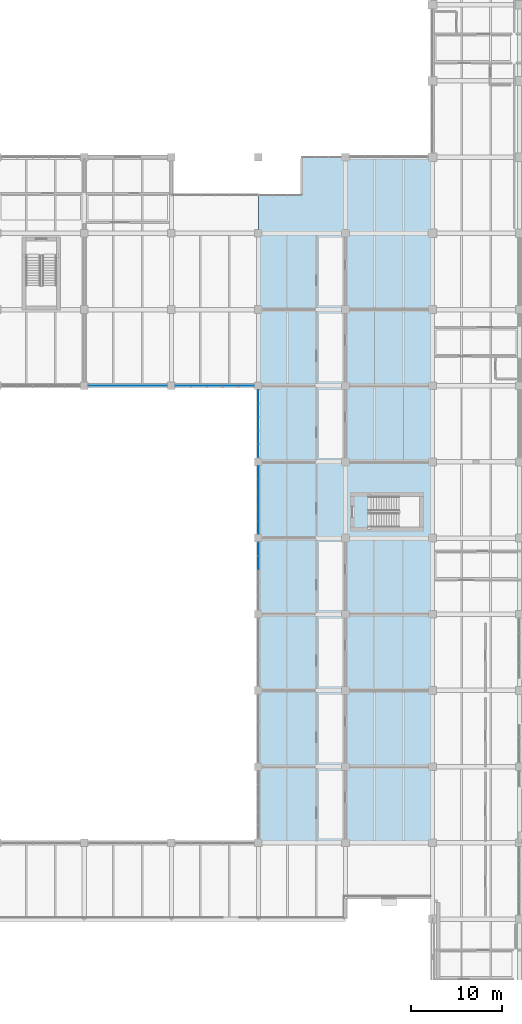
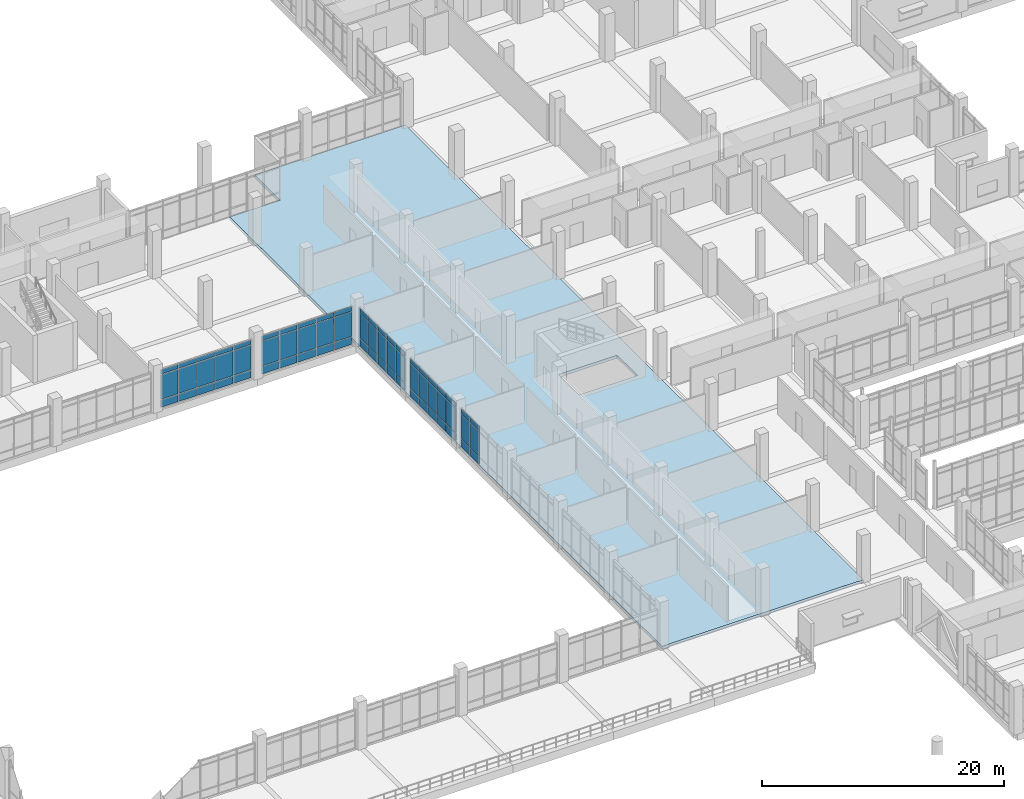
# One storey, part 93 of 152: 66 plates, 1 slab, 5 elements without a shape of their own.
"""IFC4 building model written with IfcOpenShell, lengths in metres."""

from ifc_helpers import new_model, si_unit, direction, frame, origin, origin_2d, place, context, subcontext, project, spatial, polyline, rectangle, outline, extrude, material, layer, layer_set, type_object, element, aggregate, save


model = new_model("IFC4")

# Units and contexts
model_context = context("Model", 3, precision=1e-05, world=origin(), true_north=direction((0.0, 1.0)))
body_context = subcontext(model_context, "Body", "Model", "MODEL_VIEW")
ifc_project = project(units=[si_unit("LENGTHUNIT", "METRE"), si_unit("AREAUNIT", "SQUARE_METRE"), si_unit("VOLUMEUNIT", "CUBIC_METRE"), si_unit("PLANEANGLEUNIT", "RADIAN"), si_unit("MASSUNIT", "GRAM", prefix="KILO")], contexts=[model_context])

# Site, building, storey
site_placement = place(None, origin())
site = spatial("IfcSite", under=ifc_project, at=site_placement, CompositionType="ELEMENT")
building_placement = place(site_placement, origin())
building = spatial("IfcBuilding", under=site, at=building_placement, Name="Oolite Switchyard Hospital", CompositionType="ELEMENT")
storey_placement = place(building_placement, frame((0.0, 0.0, 5.10009765625)))
storey = spatial("IfcBuildingStorey", under=building, at=storey_placement, Name="L01", CompositionType="ELEMENT", Elevation=5.10009765625)

# Curtain wall, plates
ifc_material_1 = material(Name="Thermally broken aluminum frame with laminated impact glazing", Category="aluminium")
curtain_wall_type_1 = type_object("IfcCurtainWallType", Name="CW-UNIT-84X48", PredefinedType="USERDEFINED", material=ifc_material_1)
curtain_wall_1_placement = place(storey_placement, origin())
curtain_wall_1 = element("IfcCurtainWall", 1, at=curtain_wall_1_placement, inside=storey, type_object=curtain_wall_type_1, Name="L01 Unitised Curtain Wall 185", ObjectType="UNITISED", PredefinedType="USERDEFINED")
ifc_material_2 = material(Name="Insulated fluoropolymer-coated aluminum spandrel panel", Category="aluminium")
ifc_layer_1 = layer(ifc_material_2, 0.070068359375)
ifc_layer_set_1 = layer_set([ifc_layer_1], Name="CW-PNL-SPN70")
plate_type_1 = type_object("IfcPlateType", Name="CW-PNL-SPN70", PredefinedType="CURTAIN_PANEL", material=ifc_layer_set_1)
plate_1_placement = place(storey_placement, frame((115.199951171875, 68.406982421875, 0.07470703125), z_axis=(0.0, 0.0, 1.0), x_axis=(0.0, 1.0, 0.0)))
plate_1 = element("IfcPlate", 2, at=plate_1_placement, type_object=plate_type_1, Name="CW-07 panel 1.1", PredefinedType="CURTAIN_PANEL", context=body_context, shape_type="SweptSolid", body=[
    extrude(rectangle(XDim=1.4140625, YDim=0.070068359375, at=origin_2d()), origin(), (0.0, 0.0, 1.0), 0.737548828125),
])
plate_2_placement = place(storey_placement, frame((115.199951171875, 68.406982421875, 0.88720703125), z_axis=(0.0, 0.0, 1.0), x_axis=(0.0, 1.0, 0.0)))
plate_2 = element("IfcPlate", 3, at=plate_2_placement, type_object=plate_type_1, Name="CW-07 panel 1.2", PredefinedType="CURTAIN_PANEL", context=body_context, shape_type="SweptSolid", body=[
    extrude(rectangle(XDim=1.4140625, YDim=0.070068359375, at=origin_2d()), origin(), (0.0, 0.0, 1.0), 2.465087890625),
])
plate_3_placement = place(storey_placement, frame((115.199951171875, 68.406982421875, 3.427490234375), z_axis=(0.0, 0.0, 1.0), x_axis=(0.0, 1.0, 0.0)))
plate_3 = element("IfcPlate", 4, at=plate_3_placement, type_object=plate_type_1, Name="CW-07 panel 1.3", PredefinedType="CURTAIN_PANEL", context=body_context, shape_type="SweptSolid", body=[
    extrude(rectangle(XDim=1.4140625, YDim=0.070068359375, at=origin_2d()), origin(), (0.0, 0.0, 1.0), 0.4375),
])
plate_4_placement = place(storey_placement, frame((115.199951171875, 69.89599609375, 0.07470703125), z_axis=(0.0, 0.0, 1.0), x_axis=(0.0, 1.0, 0.0)))
plate_4 = element("IfcPlate", 5, at=plate_4_placement, type_object=plate_type_1, Name="CW-07 panel 2.1", PredefinedType="CURTAIN_PANEL", context=body_context, shape_type="SweptSolid", body=[
    extrude(rectangle(XDim=1.444091796875, YDim=0.070068359375, at=origin_2d()), origin(), (0.0, 0.0, 1.0), 0.737548828125),
])
plate_5_placement = place(storey_placement, frame((115.199951171875, 69.89599609375, 0.88720703125), z_axis=(0.0, 0.0, 1.0), x_axis=(0.0, 1.0, 0.0)))
plate_5 = element("IfcPlate", 6, at=plate_5_placement, type_object=plate_type_1, Name="CW-07 panel 2.2", PredefinedType="CURTAIN_PANEL", context=body_context, shape_type="SweptSolid", body=[
    extrude(rectangle(XDim=1.444091796875, YDim=0.070068359375, at=origin_2d()), origin(), (0.0, 0.0, 1.0), 2.465087890625),
])
plate_6_placement = place(storey_placement, frame((115.199951171875, 69.89599609375, 3.427490234375), z_axis=(0.0, 0.0, 1.0), x_axis=(0.0, 1.0, 0.0)))
plate_6 = element("IfcPlate", 7, at=plate_6_placement, type_object=plate_type_1, Name="CW-07 panel 2.3", PredefinedType="CURTAIN_PANEL", context=body_context, shape_type="SweptSolid", body=[
    extrude(rectangle(XDim=1.444091796875, YDim=0.070068359375, at=origin_2d()), origin(), (0.0, 0.0, 1.0), 0.4375),
])
plate_7_placement = place(storey_placement, frame((115.199951171875, 71.39990234375, 0.07470703125), z_axis=(0.0, 0.0, 1.0), x_axis=(0.0, 1.0, 0.0)))
plate_7 = element("IfcPlate", 8, at=plate_7_placement, type_object=plate_type_1, Name="CW-07 panel 3.1", PredefinedType="CURTAIN_PANEL", context=body_context, shape_type="SweptSolid", body=[
    extrude(rectangle(XDim=1.444091796875, YDim=0.070068359375, at=origin_2d()), origin(), (0.0, 0.0, 1.0), 0.737548828125),
])
plate_8_placement = place(storey_placement, frame((115.199951171875, 71.39990234375, 0.88720703125), z_axis=(0.0, 0.0, 1.0), x_axis=(0.0, 1.0, 0.0)))
plate_8 = element("IfcPlate", 9, at=plate_8_placement, type_object=plate_type_1, Name="CW-07 panel 3.2", PredefinedType="CURTAIN_PANEL", context=body_context, shape_type="SweptSolid", body=[
    extrude(rectangle(XDim=1.444091796875, YDim=0.070068359375, at=origin_2d()), origin(), (0.0, 0.0, 1.0), 2.465087890625),
])
plate_9_placement = place(storey_placement, frame((115.199951171875, 71.39990234375, 3.427490234375), z_axis=(0.0, 0.0, 1.0), x_axis=(0.0, 1.0, 0.0)))
plate_9 = element("IfcPlate", 10, at=plate_9_placement, type_object=plate_type_1, Name="CW-07 panel 3.3", PredefinedType="CURTAIN_PANEL", context=body_context, shape_type="SweptSolid", body=[
    extrude(rectangle(XDim=1.444091796875, YDim=0.070068359375, at=origin_2d()), origin(), (0.0, 0.0, 1.0), 0.4375),
])
plate_10_placement = place(storey_placement, frame((115.199951171875, 72.904052734375, 0.07470703125), z_axis=(0.0, 0.0, 1.0), x_axis=(0.0, 1.0, 0.0)))
plate_10 = element("IfcPlate", 11, at=plate_10_placement, type_object=plate_type_1, Name="CW-07 panel 4.1", PredefinedType="CURTAIN_PANEL", context=body_context, shape_type="SweptSolid", body=[
    extrude(rectangle(XDim=1.444091796875, YDim=0.070068359375, at=origin_2d()), origin(), (0.0, 0.0, 1.0), 0.737548828125),
])
plate_11_placement = place(storey_placement, frame((115.199951171875, 72.904052734375, 0.88720703125), z_axis=(0.0, 0.0, 1.0), x_axis=(0.0, 1.0, 0.0)))
plate_11 = element("IfcPlate", 12, at=plate_11_placement, type_object=plate_type_1, Name="CW-07 panel 4.2", PredefinedType="CURTAIN_PANEL", context=body_context, shape_type="SweptSolid", body=[
    extrude(rectangle(XDim=1.444091796875, YDim=0.070068359375, at=origin_2d()), origin(), (0.0, 0.0, 1.0), 2.465087890625),
])
plate_12_placement = place(storey_placement, frame((115.199951171875, 72.904052734375, 3.427490234375), z_axis=(0.0, 0.0, 1.0), x_axis=(0.0, 1.0, 0.0)))
plate_12 = element("IfcPlate", 13, at=plate_12_placement, type_object=plate_type_1, Name="CW-07 panel 4.3", PredefinedType="CURTAIN_PANEL", context=body_context, shape_type="SweptSolid", body=[
    extrude(rectangle(XDim=1.444091796875, YDim=0.070068359375, at=origin_2d()), origin(), (0.0, 0.0, 1.0), 0.4375),
])
plate_13_placement = place(storey_placement, frame((115.199951171875, 74.39306640625, 0.07470703125), z_axis=(0.0, 0.0, 1.0), x_axis=(0.0, 1.0, 0.0)))
plate_13 = element("IfcPlate", 14, at=plate_13_placement, type_object=plate_type_1, Name="CW-07 panel 5.1", PredefinedType="CURTAIN_PANEL", context=body_context, shape_type="SweptSolid", body=[
    extrude(rectangle(XDim=1.4140625, YDim=0.070068359375, at=origin_2d()), origin(), (0.0, 0.0, 1.0), 0.737548828125),
])
plate_14_placement = place(storey_placement, frame((115.199951171875, 74.39306640625, 0.88720703125), z_axis=(0.0, 0.0, 1.0), x_axis=(0.0, 1.0, 0.0)))
plate_14 = element("IfcPlate", 15, at=plate_14_placement, type_object=plate_type_1, Name="CW-07 panel 5.2", PredefinedType="CURTAIN_PANEL", context=body_context, shape_type="SweptSolid", body=[
    extrude(rectangle(XDim=1.4140625, YDim=0.070068359375, at=origin_2d()), origin(), (0.0, 0.0, 1.0), 2.465087890625),
])
plate_15_placement = place(storey_placement, frame((115.199951171875, 74.39306640625, 3.427490234375), z_axis=(0.0, 0.0, 1.0), x_axis=(0.0, 1.0, 0.0)))
plate_15 = element("IfcPlate", 16, at=plate_15_placement, type_object=plate_type_1, Name="CW-07 panel 5.3", PredefinedType="CURTAIN_PANEL", context=body_context, shape_type="SweptSolid", body=[
    extrude(rectangle(XDim=1.4140625, YDim=0.070068359375, at=origin_2d()), origin(), (0.0, 0.0, 1.0), 0.4375),
])
aggregate(curtain_wall_1, [plate_1, plate_2, plate_3, plate_4, plate_5, plate_6, plate_7, plate_8, plate_9, plate_10, plate_11, plate_12, plate_13, plate_14, plate_15])

curtain_wall_2_placement = place(storey_placement, origin())
curtain_wall_2 = element("IfcCurtainWall", 17, at=curtain_wall_2_placement, inside=storey, type_object=curtain_wall_type_1, Name="L01 Unitised Curtain Wall 186", ObjectType="UNITISED", PredefinedType="USERDEFINED")
ifc_material_3 = material(Name="Laminated hurricane-impact insulated glazing unit", Category="glass")
ifc_layer_2 = layer(ifc_material_3, 0.028076171875)
ifc_layer_set_2 = layer_set([ifc_layer_2], Name="CW-PNL-VIS28")
plate_type_2 = type_object("IfcPlateType", Name="CW-PNL-VIS28", PredefinedType="CURTAIN_PANEL", material=ifc_layer_set_2)
plate_16_placement = place(storey_placement, frame((115.199951171875, 76.8095703125, 0.06005859375), z_axis=(0.0, 0.0, 1.0), x_axis=(0.0, 1.0, 0.0)))
plate_16 = element("IfcPlate", 18, at=plate_16_placement, type_object=plate_type_2, Name="CW-07 panel 1.1", PredefinedType="CURTAIN_PANEL", context=body_context, shape_type="SweptSolid", body=[
    extrude(rectangle(XDim=1.39892578125, YDim=0.028076171875, at=origin_2d()), origin(), (0.0, 0.0, 1.0), 0.760009765625),
])
plate_17_placement = place(storey_placement, frame((115.199951171875, 76.8095703125, 0.8798828125), z_axis=(0.0, 0.0, 1.0), x_axis=(0.0, 1.0, 0.0)))
plate_17 = element("IfcPlate", 19, at=plate_17_placement, type_object=plate_type_2, Name="CW-07 panel 1.2", PredefinedType="CURTAIN_PANEL", context=body_context, shape_type="SweptSolid", body=[
    extrude(rectangle(XDim=1.39892578125, YDim=0.028076171875, at=origin_2d()), origin(), (0.0, 0.0, 1.0), 2.47998046875),
])
plate_18_placement = place(storey_placement, frame((115.199951171875, 76.8095703125, 3.419921875), z_axis=(0.0, 0.0, 1.0), x_axis=(0.0, 1.0, 0.0)))
plate_18 = element("IfcPlate", 20, at=plate_18_placement, type_object=plate_type_2, Name="CW-07 panel 1.3", PredefinedType="CURTAIN_PANEL", context=body_context, shape_type="SweptSolid", body=[
    extrude(rectangle(XDim=1.39892578125, YDim=0.028076171875, at=origin_2d()), origin(), (0.0, 0.0, 1.0), 0.4599609375),
])
plate_19_placement = place(storey_placement, frame((115.199951171875, 78.2958984375, 0.06005859375), z_axis=(0.0, 0.0, 1.0), x_axis=(0.0, 1.0, 0.0)))
plate_19 = element("IfcPlate", 21, at=plate_19_placement, type_object=plate_type_2, Name="CW-07 panel 2.1", PredefinedType="CURTAIN_PANEL", context=body_context, shape_type="SweptSolid", body=[
    extrude(rectangle(XDim=1.43408203125, YDim=0.028076171875, at=origin_2d()), origin(), (0.0, 0.0, 1.0), 0.760009765625),
])
plate_20_placement = place(storey_placement, frame((115.199951171875, 78.2958984375, 0.8798828125), z_axis=(0.0, 0.0, 1.0), x_axis=(0.0, 1.0, 0.0)))
plate_20 = element("IfcPlate", 22, at=plate_20_placement, type_object=plate_type_2, Name="CW-07 panel 2.2", PredefinedType="CURTAIN_PANEL", context=body_context, shape_type="SweptSolid", body=[
    extrude(rectangle(XDim=1.43408203125, YDim=0.028076171875, at=origin_2d()), origin(), (0.0, 0.0, 1.0), 2.47998046875),
])
plate_21_placement = place(storey_placement, frame((115.199951171875, 78.2958984375, 3.419921875), z_axis=(0.0, 0.0, 1.0), x_axis=(0.0, 1.0, 0.0)))
plate_21 = element("IfcPlate", 23, at=plate_21_placement, type_object=plate_type_2, Name="CW-07 panel 2.3", PredefinedType="CURTAIN_PANEL", context=body_context, shape_type="SweptSolid", body=[
    extrude(rectangle(XDim=1.43408203125, YDim=0.028076171875, at=origin_2d()), origin(), (0.0, 0.0, 1.0), 0.4599609375),
])
plate_22_placement = place(storey_placement, frame((115.199951171875, 79.800048828125, 0.06005859375), z_axis=(0.0, 0.0, 1.0), x_axis=(0.0, 1.0, 0.0)))
plate_22 = element("IfcPlate", 24, at=plate_22_placement, type_object=plate_type_2, Name="CW-07 panel 3.1", PredefinedType="CURTAIN_PANEL", context=body_context, shape_type="SweptSolid", body=[
    extrude(rectangle(XDim=1.43408203125, YDim=0.028076171875, at=origin_2d()), origin(), (0.0, 0.0, 1.0), 0.760009765625),
])
plate_23_placement = place(storey_placement, frame((115.199951171875, 79.800048828125, 0.8798828125), z_axis=(0.0, 0.0, 1.0), x_axis=(0.0, 1.0, 0.0)))
plate_23 = element("IfcPlate", 25, at=plate_23_placement, type_object=plate_type_2, Name="CW-07 panel 3.2", PredefinedType="CURTAIN_PANEL", context=body_context, shape_type="SweptSolid", body=[
    extrude(rectangle(XDim=1.43408203125, YDim=0.028076171875, at=origin_2d()), origin(), (0.0, 0.0, 1.0), 2.47998046875),
])
plate_24_placement = place(storey_placement, frame((115.199951171875, 79.800048828125, 3.419921875), z_axis=(0.0, 0.0, 1.0), x_axis=(0.0, 1.0, 0.0)))
plate_24 = element("IfcPlate", 26, at=plate_24_placement, type_object=plate_type_2, Name="CW-07 panel 3.3", PredefinedType="CURTAIN_PANEL", context=body_context, shape_type="SweptSolid", body=[
    extrude(rectangle(XDim=1.43408203125, YDim=0.028076171875, at=origin_2d()), origin(), (0.0, 0.0, 1.0), 0.4599609375),
])
plate_25_placement = place(storey_placement, frame((115.199951171875, 81.303955078125, 0.06005859375), z_axis=(0.0, 0.0, 1.0), x_axis=(0.0, 1.0, 0.0)))
plate_25 = element("IfcPlate", 27, at=plate_25_placement, type_object=plate_type_2, Name="CW-07 panel 4.1", PredefinedType="CURTAIN_PANEL", context=body_context, shape_type="SweptSolid", body=[
    extrude(rectangle(XDim=1.43408203125, YDim=0.028076171875, at=origin_2d()), origin(), (0.0, 0.0, 1.0), 0.760009765625),
])
plate_26_placement = place(storey_placement, frame((115.199951171875, 81.303955078125, 0.8798828125), z_axis=(0.0, 0.0, 1.0), x_axis=(0.0, 1.0, 0.0)))
plate_26 = element("IfcPlate", 28, at=plate_26_placement, type_object=plate_type_2, Name="CW-07 panel 4.2", PredefinedType="CURTAIN_PANEL", context=body_context, shape_type="SweptSolid", body=[
    extrude(rectangle(XDim=1.43408203125, YDim=0.028076171875, at=origin_2d()), origin(), (0.0, 0.0, 1.0), 2.47998046875),
])
plate_27_placement = place(storey_placement, frame((115.199951171875, 81.303955078125, 3.419921875), z_axis=(0.0, 0.0, 1.0), x_axis=(0.0, 1.0, 0.0)))
plate_27 = element("IfcPlate", 29, at=plate_27_placement, type_object=plate_type_2, Name="CW-07 panel 4.3", PredefinedType="CURTAIN_PANEL", context=body_context, shape_type="SweptSolid", body=[
    extrude(rectangle(XDim=1.43408203125, YDim=0.028076171875, at=origin_2d()), origin(), (0.0, 0.0, 1.0), 0.4599609375),
])
plate_28_placement = place(storey_placement, frame((115.199951171875, 82.79052734375, 0.06005859375), z_axis=(0.0, 0.0, 1.0), x_axis=(0.0, 1.0, 0.0)))
plate_28 = element("IfcPlate", 30, at=plate_28_placement, type_object=plate_type_2, Name="CW-07 panel 5.1", PredefinedType="CURTAIN_PANEL", context=body_context, shape_type="SweptSolid", body=[
    extrude(rectangle(XDim=1.39892578125, YDim=0.028076171875, at=origin_2d()), origin(), (0.0, 0.0, 1.0), 0.760009765625),
])
plate_29_placement = place(storey_placement, frame((115.199951171875, 82.79052734375, 0.8798828125), z_axis=(0.0, 0.0, 1.0), x_axis=(0.0, 1.0, 0.0)))
plate_29 = element("IfcPlate", 31, at=plate_29_placement, type_object=plate_type_2, Name="CW-07 panel 5.2", PredefinedType="CURTAIN_PANEL", context=body_context, shape_type="SweptSolid", body=[
    extrude(rectangle(XDim=1.39892578125, YDim=0.028076171875, at=origin_2d()), origin(), (0.0, 0.0, 1.0), 2.47998046875),
])
plate_30_placement = place(storey_placement, frame((115.199951171875, 82.79052734375, 3.419921875), z_axis=(0.0, 0.0, 1.0), x_axis=(0.0, 1.0, 0.0)))
plate_30 = element("IfcPlate", 32, at=plate_30_placement, type_object=plate_type_2, Name="CW-07 panel 5.3", PredefinedType="CURTAIN_PANEL", context=body_context, shape_type="SweptSolid", body=[
    extrude(rectangle(XDim=1.39892578125, YDim=0.028076171875, at=origin_2d()), origin(), (0.0, 0.0, 1.0), 0.4599609375),
])
aggregate(curtain_wall_2, [plate_16, plate_17, plate_18, plate_19, plate_20, plate_21, plate_22, plate_23, plate_24, plate_25, plate_26, plate_27, plate_28, plate_29, plate_30])

curtain_wall_type_2 = type_object("IfcCurtainWallType", Name="CW-UNIT-96X48", PredefinedType="USERDEFINED", material=ifc_material_1)
curtain_wall_3_placement = place(storey_placement, origin())
curtain_wall_3 = element("IfcCurtainWall", 33, at=curtain_wall_3_placement, inside=storey, type_object=curtain_wall_type_2, Name="L01 Unitised Curtain Wall 142", ObjectType="UNITISED", PredefinedType="USERDEFINED")
ifc_layer_3 = layer(ifc_material_3, 0.031982421875)
ifc_layer_set_3 = layer_set([ifc_layer_3], Name="CW-PNL-VIS32")
plate_type_3 = type_object("IfcPlateType", Name="CW-PNL-VIS32", PredefinedType="CURTAIN_PANEL", material=ifc_layer_set_3)
plate_31_placement = place(storey_placement, frame((113.869140625, 84.0, 0.06005859375), z_axis=(0.0, 0.0, 1.0), x_axis=(-1.0, 0.0, 0.0)))
plate_31 = element("IfcPlate", 34, at=plate_31_placement, type_object=plate_type_3, Name="CW-02 panel 1.1", PredefinedType="CURTAIN_PANEL", context=body_context, shape_type="SweptSolid", body=[
    extrude(rectangle(XDim=1.631591796875, YDim=0.031982421875, at=origin_2d()), origin(), (0.0, 0.0, 1.0), 0.760009765625),
])
plate_32_placement = place(storey_placement, frame((113.869140625, 84.0, 0.8798828125), z_axis=(0.0, 0.0, 1.0), x_axis=(-1.0, 0.0, 0.0)))
plate_32 = element("IfcPlate", 35, at=plate_32_placement, type_object=plate_type_3, Name="CW-02 panel 1.2", PredefinedType="CURTAIN_PANEL", context=body_context, shape_type="SweptSolid", body=[
    extrude(rectangle(XDim=1.631591796875, YDim=0.031982421875, at=origin_2d()), origin(), (0.0, 0.0, 1.0), 2.47998046875),
])
plate_33_placement = place(storey_placement, frame((113.869140625, 84.0, 3.419921875), z_axis=(0.0, 0.0, 1.0), x_axis=(-1.0, 0.0, 0.0)))
plate_33 = element("IfcPlate", 36, at=plate_33_placement, type_object=plate_type_3, Name="CW-02 panel 1.3", PredefinedType="CURTAIN_PANEL", context=body_context, shape_type="SweptSolid", body=[
    extrude(rectangle(XDim=1.631591796875, YDim=0.031982421875, at=origin_2d()), origin(), (0.0, 0.0, 1.0), 0.4599609375),
])
plate_34_placement = place(storey_placement, frame((112.14404296875, 84.0, 0.06005859375), z_axis=(0.0, 0.0, 1.0), x_axis=(-1.0, 0.0, 0.0)))
plate_34 = element("IfcPlate", 37, at=plate_34_placement, type_object=plate_type_3, Name="CW-02 panel 2.1", PredefinedType="CURTAIN_PANEL", context=body_context, shape_type="SweptSolid", body=[
    extrude(rectangle(XDim=1.6689453125, YDim=0.031982421875, at=origin_2d()), origin(), (0.0, 0.0, 1.0), 0.760009765625),
])
plate_35_placement = place(storey_placement, frame((112.14404296875, 84.0, 0.8798828125), z_axis=(0.0, 0.0, 1.0), x_axis=(-1.0, 0.0, 0.0)))
plate_35 = element("IfcPlate", 38, at=plate_35_placement, type_object=plate_type_3, Name="CW-02 panel 2.2", PredefinedType="CURTAIN_PANEL", context=body_context, shape_type="SweptSolid", body=[
    extrude(rectangle(XDim=1.6689453125, YDim=0.031982421875, at=origin_2d()), origin(), (0.0, 0.0, 1.0), 2.47998046875),
])
plate_36_placement = place(storey_placement, frame((112.14404296875, 84.0, 3.419921875), z_axis=(0.0, 0.0, 1.0), x_axis=(-1.0, 0.0, 0.0)))
plate_36 = element("IfcPlate", 39, at=plate_36_placement, type_object=plate_type_3, Name="CW-02 panel 2.3", PredefinedType="CURTAIN_PANEL", context=body_context, shape_type="SweptSolid", body=[
    extrude(rectangle(XDim=1.6689453125, YDim=0.031982421875, at=origin_2d()), origin(), (0.0, 0.0, 1.0), 0.4599609375),
])
plate_37_placement = place(storey_placement, frame((110.39990234375, 84.0, 0.06005859375), z_axis=(0.0, 0.0, 1.0), x_axis=(-1.0, 0.0, 0.0)))
plate_37 = element("IfcPlate", 40, at=plate_37_placement, type_object=plate_type_3, Name="CW-02 panel 3.1", PredefinedType="CURTAIN_PANEL", context=body_context, shape_type="SweptSolid", body=[
    extrude(rectangle(XDim=1.6689453125, YDim=0.031982421875, at=origin_2d()), origin(), (0.0, 0.0, 1.0), 0.760009765625),
])
plate_38_placement = place(storey_placement, frame((110.39990234375, 84.0, 0.8798828125), z_axis=(0.0, 0.0, 1.0), x_axis=(-1.0, 0.0, 0.0)))
plate_38 = element("IfcPlate", 41, at=plate_38_placement, type_object=plate_type_3, Name="CW-02 panel 3.2", PredefinedType="CURTAIN_PANEL", context=body_context, shape_type="SweptSolid", body=[
    extrude(rectangle(XDim=1.6689453125, YDim=0.031982421875, at=origin_2d()), origin(), (0.0, 0.0, 1.0), 2.47998046875),
])
plate_39_placement = place(storey_placement, frame((110.39990234375, 84.0, 3.419921875), z_axis=(0.0, 0.0, 1.0), x_axis=(-1.0, 0.0, 0.0)))
plate_39 = element("IfcPlate", 42, at=plate_39_placement, type_object=plate_type_3, Name="CW-02 panel 3.3", PredefinedType="CURTAIN_PANEL", context=body_context, shape_type="SweptSolid", body=[
    extrude(rectangle(XDim=1.6689453125, YDim=0.031982421875, at=origin_2d()), origin(), (0.0, 0.0, 1.0), 0.4599609375),
])
plate_40_placement = place(storey_placement, frame((108.656005859375, 84.0, 0.06005859375), z_axis=(0.0, 0.0, 1.0), x_axis=(-1.0, 0.0, 0.0)))
plate_40 = element("IfcPlate", 43, at=plate_40_placement, type_object=plate_type_3, Name="CW-02 panel 4.1", PredefinedType="CURTAIN_PANEL", context=body_context, shape_type="SweptSolid", body=[
    extrude(rectangle(XDim=1.6689453125, YDim=0.031982421875, at=origin_2d()), origin(), (0.0, 0.0, 1.0), 0.760009765625),
])
plate_41_placement = place(storey_placement, frame((108.656005859375, 84.0, 0.8798828125), z_axis=(0.0, 0.0, 1.0), x_axis=(-1.0, 0.0, 0.0)))
plate_41 = element("IfcPlate", 44, at=plate_41_placement, type_object=plate_type_3, Name="CW-02 panel 4.2", PredefinedType="CURTAIN_PANEL", context=body_context, shape_type="SweptSolid", body=[
    extrude(rectangle(XDim=1.6689453125, YDim=0.031982421875, at=origin_2d()), origin(), (0.0, 0.0, 1.0), 2.47998046875),
])
plate_42_placement = place(storey_placement, frame((108.656005859375, 84.0, 3.419921875), z_axis=(0.0, 0.0, 1.0), x_axis=(-1.0, 0.0, 0.0)))
plate_42 = element("IfcPlate", 45, at=plate_42_placement, type_object=plate_type_3, Name="CW-02 panel 4.3", PredefinedType="CURTAIN_PANEL", context=body_context, shape_type="SweptSolid", body=[
    extrude(rectangle(XDim=1.6689453125, YDim=0.031982421875, at=origin_2d()), origin(), (0.0, 0.0, 1.0), 0.4599609375),
])
plate_43_placement = place(storey_placement, frame((106.9306640625, 84.0, 0.06005859375), z_axis=(0.0, 0.0, 1.0), x_axis=(-1.0, 0.0, 0.0)))
plate_43 = element("IfcPlate", 46, at=plate_43_placement, type_object=plate_type_3, Name="CW-02 panel 5.1", PredefinedType="CURTAIN_PANEL", context=body_context, shape_type="SweptSolid", body=[
    extrude(rectangle(XDim=1.631591796875, YDim=0.031982421875, at=origin_2d()), origin(), (0.0, 0.0, 1.0), 0.760009765625),
])
plate_44_placement = place(storey_placement, frame((106.9306640625, 84.0, 0.8798828125), z_axis=(0.0, 0.0, 1.0), x_axis=(-1.0, 0.0, 0.0)))
plate_44 = element("IfcPlate", 47, at=plate_44_placement, type_object=plate_type_3, Name="CW-02 panel 5.2", PredefinedType="CURTAIN_PANEL", context=body_context, shape_type="SweptSolid", body=[
    extrude(rectangle(XDim=1.631591796875, YDim=0.031982421875, at=origin_2d()), origin(), (0.0, 0.0, 1.0), 2.47998046875),
])
plate_45_placement = place(storey_placement, frame((106.9306640625, 84.0, 3.419921875), z_axis=(0.0, 0.0, 1.0), x_axis=(-1.0, 0.0, 0.0)))
plate_45 = element("IfcPlate", 48, at=plate_45_placement, type_object=plate_type_3, Name="CW-02 panel 5.3", PredefinedType="CURTAIN_PANEL", context=body_context, shape_type="SweptSolid", body=[
    extrude(rectangle(XDim=1.631591796875, YDim=0.031982421875, at=origin_2d()), origin(), (0.0, 0.0, 1.0), 0.4599609375),
])
aggregate(curtain_wall_3, [plate_31, plate_32, plate_33, plate_34, plate_35, plate_36, plate_37, plate_38, plate_39, plate_40, plate_41, plate_42, plate_43, plate_44, plate_45])

curtain_wall_4_placement = place(storey_placement, origin())
curtain_wall_4 = element("IfcCurtainWall", 49, at=curtain_wall_4_placement, inside=storey, type_object=curtain_wall_type_2, Name="L01 Unitised Curtain Wall 143", ObjectType="UNITISED", PredefinedType="USERDEFINED")
ifc_layer_4 = layer(ifc_material_3, 0.035888671875)
ifc_layer_set_4 = layer_set([ifc_layer_4], Name="CW-PNL-VIS36")
plate_type_4 = type_object("IfcPlateType", Name="CW-PNL-VIS36", PredefinedType="CURTAIN_PANEL", material=ifc_layer_set_4)
plate_46_placement = place(storey_placement, frame((104.27294921875, 84.0, 0.07470703125), z_axis=(0.0, 0.0, 1.0), x_axis=(-1.0, 0.0, 0.0)))
plate_46 = element("IfcPlate", 50, at=plate_46_placement, type_object=plate_type_4, Name="CW-02 panel 1.1", PredefinedType="CURTAIN_PANEL", context=body_context, shape_type="SweptSolid", body=[
    extrude(rectangle(XDim=1.654052734375, YDim=0.035888671875, at=origin_2d()), origin(), (0.0, 0.0, 1.0), 0.737548828125),
])
plate_47_placement = place(storey_placement, frame((104.27294921875, 84.0, 0.88720703125), z_axis=(0.0, 0.0, 1.0), x_axis=(-1.0, 0.0, 0.0)))
plate_47 = element("IfcPlate", 51, at=plate_47_placement, type_object=plate_type_4, Name="CW-02 panel 1.2", PredefinedType="CURTAIN_PANEL", context=body_context, shape_type="SweptSolid", body=[
    extrude(rectangle(XDim=1.654052734375, YDim=0.035888671875, at=origin_2d()), origin(), (0.0, 0.0, 1.0), 2.465087890625),
])
plate_48_placement = place(storey_placement, frame((104.27294921875, 84.0, 3.427490234375), z_axis=(0.0, 0.0, 1.0), x_axis=(-1.0, 0.0, 0.0)))
plate_48 = element("IfcPlate", 52, at=plate_48_placement, type_object=plate_type_4, Name="CW-02 panel 1.3", PredefinedType="CURTAIN_PANEL", context=body_context, shape_type="SweptSolid", body=[
    extrude(rectangle(XDim=1.654052734375, YDim=0.035888671875, at=origin_2d()), origin(), (0.0, 0.0, 1.0), 0.4375),
])
plate_49_placement = place(storey_placement, frame((102.5439453125, 84.0, 0.07470703125), z_axis=(0.0, 0.0, 1.0), x_axis=(-1.0, 0.0, 0.0)))
plate_49 = element("IfcPlate", 53, at=plate_49_placement, type_object=plate_type_4, Name="CW-02 panel 2.1", PredefinedType="CURTAIN_PANEL", context=body_context, shape_type="SweptSolid", body=[
    extrude(rectangle(XDim=1.68408203125, YDim=0.035888671875, at=origin_2d()), origin(), (0.0, 0.0, 1.0), 0.737548828125),
])
plate_50_placement = place(storey_placement, frame((102.5439453125, 84.0, 0.88720703125), z_axis=(0.0, 0.0, 1.0), x_axis=(-1.0, 0.0, 0.0)))
plate_50 = element("IfcPlate", 54, at=plate_50_placement, type_object=plate_type_4, Name="CW-02 panel 2.2", PredefinedType="CURTAIN_PANEL", context=body_context, shape_type="SweptSolid", body=[
    extrude(rectangle(XDim=1.68408203125, YDim=0.035888671875, at=origin_2d()), origin(), (0.0, 0.0, 1.0), 2.465087890625),
])
plate_51_placement = place(storey_placement, frame((102.5439453125, 84.0, 3.427490234375), z_axis=(0.0, 0.0, 1.0), x_axis=(-1.0, 0.0, 0.0)))
plate_51 = element("IfcPlate", 55, at=plate_51_placement, type_object=plate_type_4, Name="CW-02 panel 2.3", PredefinedType="CURTAIN_PANEL", context=body_context, shape_type="SweptSolid", body=[
    extrude(rectangle(XDim=1.68408203125, YDim=0.035888671875, at=origin_2d()), origin(), (0.0, 0.0, 1.0), 0.4375),
])
plate_52_placement = place(storey_placement, frame((100.800048828125, 84.0, 0.07470703125), z_axis=(0.0, 0.0, 1.0), x_axis=(-1.0, 0.0, 0.0)))
plate_52 = element("IfcPlate", 56, at=plate_52_placement, type_object=plate_type_4, Name="CW-02 panel 3.1", PredefinedType="CURTAIN_PANEL", context=body_context, shape_type="SweptSolid", body=[
    extrude(rectangle(XDim=1.68408203125, YDim=0.035888671875, at=origin_2d()), origin(), (0.0, 0.0, 1.0), 0.737548828125),
])
plate_53_placement = place(storey_placement, frame((100.800048828125, 84.0, 0.88720703125), z_axis=(0.0, 0.0, 1.0), x_axis=(-1.0, 0.0, 0.0)))
plate_53 = element("IfcPlate", 57, at=plate_53_placement, type_object=plate_type_4, Name="CW-02 panel 3.2", PredefinedType="CURTAIN_PANEL", context=body_context, shape_type="SweptSolid", body=[
    extrude(rectangle(XDim=1.68408203125, YDim=0.035888671875, at=origin_2d()), origin(), (0.0, 0.0, 1.0), 2.465087890625),
])
plate_54_placement = place(storey_placement, frame((100.800048828125, 84.0, 3.427490234375), z_axis=(0.0, 0.0, 1.0), x_axis=(-1.0, 0.0, 0.0)))
plate_54 = element("IfcPlate", 58, at=plate_54_placement, type_object=plate_type_4, Name="CW-02 panel 3.3", PredefinedType="CURTAIN_PANEL", context=body_context, shape_type="SweptSolid", body=[
    extrude(rectangle(XDim=1.68408203125, YDim=0.035888671875, at=origin_2d()), origin(), (0.0, 0.0, 1.0), 0.4375),
])
plate_55_placement = place(storey_placement, frame((99.055908203125, 84.0, 0.07470703125), z_axis=(0.0, 0.0, 1.0), x_axis=(-1.0, 0.0, 0.0)))
plate_55 = element("IfcPlate", 59, at=plate_55_placement, type_object=plate_type_4, Name="CW-02 panel 4.1", PredefinedType="CURTAIN_PANEL", context=body_context, shape_type="SweptSolid", body=[
    extrude(rectangle(XDim=1.68408203125, YDim=0.035888671875, at=origin_2d()), origin(), (0.0, 0.0, 1.0), 0.737548828125),
])
plate_56_placement = place(storey_placement, frame((99.055908203125, 84.0, 0.88720703125), z_axis=(0.0, 0.0, 1.0), x_axis=(-1.0, 0.0, 0.0)))
plate_56 = element("IfcPlate", 60, at=plate_56_placement, type_object=plate_type_4, Name="CW-02 panel 4.2", PredefinedType="CURTAIN_PANEL", context=body_context, shape_type="SweptSolid", body=[
    extrude(rectangle(XDim=1.68408203125, YDim=0.035888671875, at=origin_2d()), origin(), (0.0, 0.0, 1.0), 2.465087890625),
])
plate_57_placement = place(storey_placement, frame((99.055908203125, 84.0, 3.427490234375), z_axis=(0.0, 0.0, 1.0), x_axis=(-1.0, 0.0, 0.0)))
plate_57 = element("IfcPlate", 61, at=plate_57_placement, type_object=plate_type_4, Name="CW-02 panel 4.3", PredefinedType="CURTAIN_PANEL", context=body_context, shape_type="SweptSolid", body=[
    extrude(rectangle(XDim=1.68408203125, YDim=0.035888671875, at=origin_2d()), origin(), (0.0, 0.0, 1.0), 0.4375),
])
plate_58_placement = place(storey_placement, frame((97.326904296875, 84.0, 0.07470703125), z_axis=(0.0, 0.0, 1.0), x_axis=(-1.0, 0.0, 0.0)))
plate_58 = element("IfcPlate", 62, at=plate_58_placement, type_object=plate_type_4, Name="CW-02 panel 5.1", PredefinedType="CURTAIN_PANEL", context=body_context, shape_type="SweptSolid", body=[
    extrude(rectangle(XDim=1.654052734375, YDim=0.035888671875, at=origin_2d()), origin(), (0.0, 0.0, 1.0), 0.737548828125),
])
plate_59_placement = place(storey_placement, frame((97.326904296875, 84.0, 0.88720703125), z_axis=(0.0, 0.0, 1.0), x_axis=(-1.0, 0.0, 0.0)))
plate_59 = element("IfcPlate", 63, at=plate_59_placement, type_object=plate_type_4, Name="CW-02 panel 5.2", PredefinedType="CURTAIN_PANEL", context=body_context, shape_type="SweptSolid", body=[
    extrude(rectangle(XDim=1.654052734375, YDim=0.035888671875, at=origin_2d()), origin(), (0.0, 0.0, 1.0), 2.465087890625),
])
plate_60_placement = place(storey_placement, frame((97.326904296875, 84.0, 3.427490234375), z_axis=(0.0, 0.0, 1.0), x_axis=(-1.0, 0.0, 0.0)))
plate_60 = element("IfcPlate", 64, at=plate_60_placement, type_object=plate_type_4, Name="CW-02 panel 5.3", PredefinedType="CURTAIN_PANEL", context=body_context, shape_type="SweptSolid", body=[
    extrude(rectangle(XDim=1.654052734375, YDim=0.035888671875, at=origin_2d()), origin(), (0.0, 0.0, 1.0), 0.4375),
])
aggregate(curtain_wall_4, [plate_46, plate_47, plate_48, plate_49, plate_50, plate_51, plate_52, plate_53, plate_54, plate_55, plate_56, plate_57, plate_58, plate_59, plate_60])

curtain_wall_5_placement = place(storey_placement, origin())
curtain_wall_5 = element("IfcCurtainWall", 65, at=curtain_wall_5_placement, inside=storey, type_object=curtain_wall_type_1, Name="L01 Unitised Curtain Wall 184", ObjectType="UNITISED", PredefinedType="USERDEFINED")
ifc_layer_5 = layer(ifc_material_3, 0.0419921875)
ifc_layer_set_5 = layer_set([ifc_layer_5], Name="CW-PNL-VIS42")
plate_type_5 = type_object("IfcPlateType", Name="CW-PNL-VIS42", PredefinedType="CURTAIN_PANEL", material=ifc_layer_set_5)
plate_61_placement = place(storey_placement, frame((115.199951171875, 64.50390625, 0.06005859375), z_axis=(0.0, 0.0, 1.0), x_axis=(0.0, 1.0, 0.0)))
plate_61 = element("IfcPlate", 66, at=plate_61_placement, type_object=plate_type_5, Name="CW-07 panel 4.1", PredefinedType="CURTAIN_PANEL", context=body_context, shape_type="SweptSolid", body=[
    extrude(rectangle(XDim=1.428955078125, YDim=0.0419921875, at=origin_2d()), origin(), (0.0, 0.0, 1.0), 0.760009765625),
])
plate_62_placement = place(storey_placement, frame((115.199951171875, 64.50390625, 0.8798828125), z_axis=(0.0, 0.0, 1.0), x_axis=(0.0, 1.0, 0.0)))
plate_62 = element("IfcPlate", 67, at=plate_62_placement, type_object=plate_type_5, Name="CW-07 panel 4.2", PredefinedType="CURTAIN_PANEL", context=body_context, shape_type="SweptSolid", body=[
    extrude(rectangle(XDim=1.428955078125, YDim=0.0419921875, at=origin_2d()), origin(), (0.0, 0.0, 1.0), 2.47998046875),
])
plate_63_placement = place(storey_placement, frame((115.199951171875, 64.50390625, 3.419921875), z_axis=(0.0, 0.0, 1.0), x_axis=(0.0, 1.0, 0.0)))
plate_63 = element("IfcPlate", 68, at=plate_63_placement, type_object=plate_type_5, Name="CW-07 panel 4.3", PredefinedType="CURTAIN_PANEL", context=body_context, shape_type="SweptSolid", body=[
    extrude(rectangle(XDim=1.428955078125, YDim=0.0419921875, at=origin_2d()), origin(), (0.0, 0.0, 1.0), 0.4599609375),
])
plate_64_placement = place(storey_placement, frame((115.199951171875, 65.9892578125, 0.06005859375), z_axis=(0.0, 0.0, 1.0), x_axis=(0.0, 1.0, 0.0)))
plate_64 = element("IfcPlate", 69, at=plate_64_placement, type_object=plate_type_5, Name="CW-07 panel 5.1", PredefinedType="CURTAIN_PANEL", context=body_context, shape_type="SweptSolid", body=[
    extrude(rectangle(XDim=1.3916015625, YDim=0.0419921875, at=origin_2d()), origin(), (0.0, 0.0, 1.0), 0.760009765625),
])
plate_65_placement = place(storey_placement, frame((115.199951171875, 65.9892578125, 0.8798828125), z_axis=(0.0, 0.0, 1.0), x_axis=(0.0, 1.0, 0.0)))
plate_65 = element("IfcPlate", 70, at=plate_65_placement, type_object=plate_type_5, Name="CW-07 panel 5.2", PredefinedType="CURTAIN_PANEL", context=body_context, shape_type="SweptSolid", body=[
    extrude(rectangle(XDim=1.3916015625, YDim=0.0419921875, at=origin_2d()), origin(), (0.0, 0.0, 1.0), 2.47998046875),
])
plate_66_placement = place(storey_placement, frame((115.199951171875, 65.9892578125, 3.419921875), z_axis=(0.0, 0.0, 1.0), x_axis=(0.0, 1.0, 0.0)))
plate_66 = element("IfcPlate", 71, at=plate_66_placement, type_object=plate_type_5, Name="CW-07 panel 5.3", PredefinedType="CURTAIN_PANEL", context=body_context, shape_type="SweptSolid", body=[
    extrude(rectangle(XDim=1.3916015625, YDim=0.0419921875, at=origin_2d()), origin(), (0.0, 0.0, 1.0), 0.4599609375),
])
aggregate(curtain_wall_5, [plate_61, plate_62, plate_63, plate_64, plate_65, plate_66])

# Slab
ifc_material_4 = material(Name="Concrete C40/50", Category="concrete")
ifc_layer_6 = layer(ifc_material_4, 0.300048828125)
ifc_layer_set_6 = layer_set([ifc_layer_6], Name="SLB-FLR-300")
slab_type = type_object("IfcSlabType", Name="SLB-FLR-300", PredefinedType="FLOOR", material=ifc_layer_set_6)
slab_placement = place(storey_placement, frame((0.0, 0.0, -0.300048828125)))
element("IfcSlab", 72, at=slab_placement, inside=storey, type_object=slab_type, Name="L01 V4 Slab V4E", PredefinedType="FLOOR", context=body_context, shape_type="SweptSolid", body=[
    extrude(outline(polyline([(115.199951171875, 33.60009765625), (134.39990234375, 33.60009765625), (134.39990234375, 109.199951171875), (120.0, 109.199951171875), (120.0, 105.0), (115.199951171875, 105.0), (115.199951171875, 33.60009765625)]), holes=[polyline([(127.360107421875, 68.39990234375), (132.949951171875, 68.39990234375), (132.949951171875, 71.760009765625), (127.360107421875, 71.760009765625), (127.360107421875, 68.39990234375)])]), origin(), (0.0, 0.0, 1.0), 0.300048828125),
])

save(model, "model.ifc")
